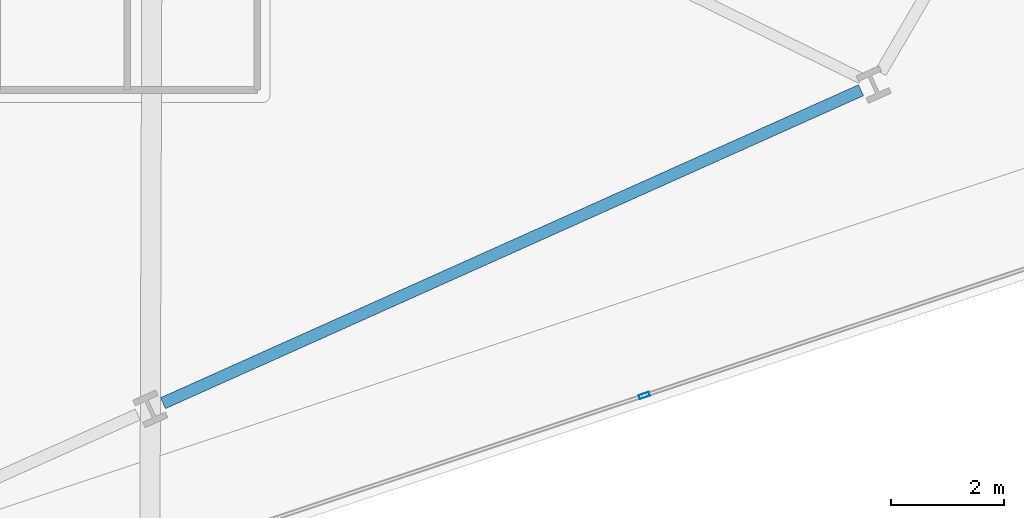
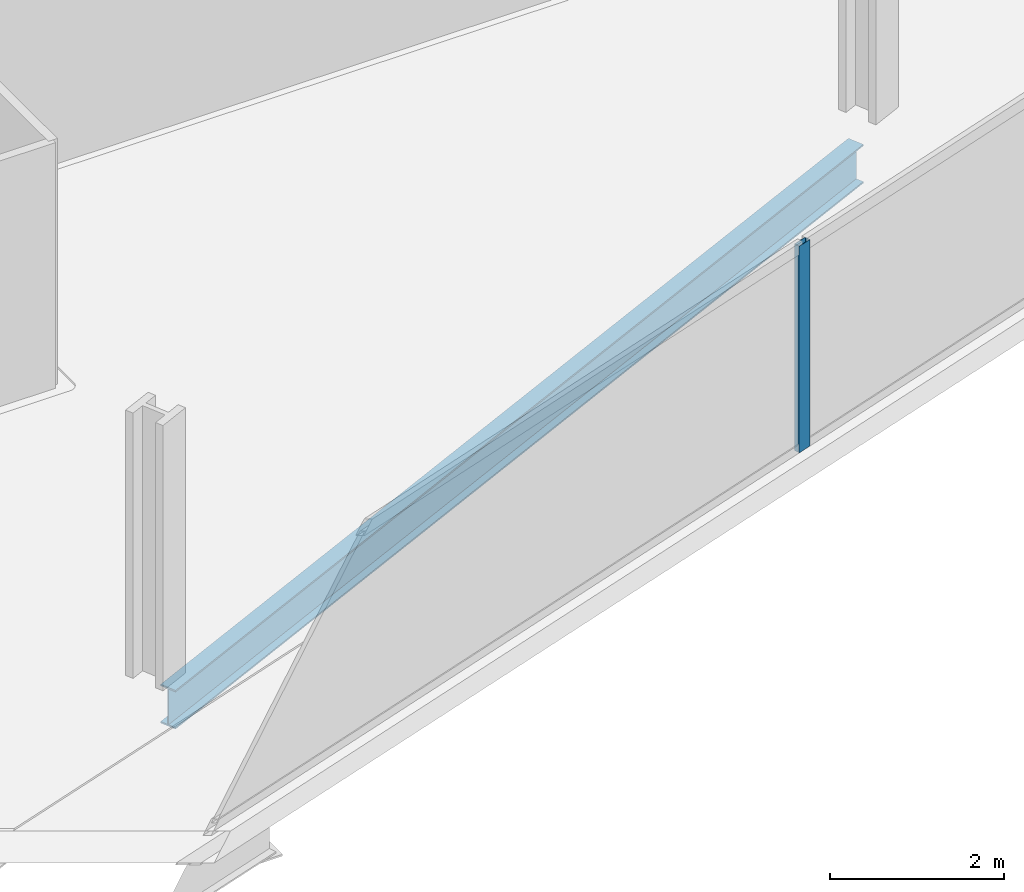
# One storey, part 9 of 34: 1 beam, 1 member, 1 element without a shape of its own.
"""IFC4 building model written with IfcOpenShell, lengths in metres."""

import ifcopenshell
import ifcopenshell.guid

model = None  # the IFC model being written
_history = None  # IfcOwnerHistory: only IFC2X3 demands one
_inside = {}  # id of a spatial element -> (the spatial element, [elements in it])
_under = {}  # id of a project, library or spatial element -> (it, [spatial elements below it])
_declared = {}  # id of a project -> (the project, [libraries it declares])
_typed = {}  # id of a type object -> (the type object, [elements of that type])
_made_of = {}  # id of a material, layer set ... -> (it, [elements and type objects made of it])


def new_model(schema):
    """Start an empty IFC model of exactly this schema.

    Asked for "IFC4X3", IfcOpenShell would pick the latest addendum, in which some entities
    have other attributes; the version numbers below select the first issue.
    IFC2X3 requires an IfcOwnerHistory on every rooted entity: one is made here for all.
    """
    global model, _history
    if schema == "IFC4X3":
        model = ifcopenshell.file(schema_version=(4, 3, 0, 0))
    else:
        model = ifcopenshell.file(schema=schema)
    _inside.clear()
    _under.clear()
    _declared.clear()
    _typed.clear()
    _made_of.clear()
    _history = None
    if model.schema == "IFC2X3":
        org = make("IfcOrganization", Name="unknown")
        user = make(
            "IfcPersonAndOrganization",
            ThePerson=make("IfcPerson", FamilyName="unknown"),
            TheOrganization=org,
        )
        app = make(
            "IfcApplication",
            ApplicationDeveloper=org,
            Version="unknown",
            ApplicationFullName="unknown",
            ApplicationIdentifier="unknown",
        )
        _history = make(
            "IfcOwnerHistory",
            OwningUser=user,
            OwningApplication=app,
            ChangeAction="ADDED",
            CreationDate=0,
        )
    return model


def make(cls, **values):
    """One entity of the class cls with the attributes given. An attribute that is None is left unset."""
    return model.create_entity(
        cls, **{name: value for name, value in values.items() if value is not None}
    )


def rooted(cls, **values):
    """An entity with a GlobalId (a new one), such as an element, a storey or a relation."""
    return make(cls, GlobalId=ifcopenshell.guid.new(), OwnerHistory=_history, **values)


def si_unit(unit_type, name, prefix=None):
    """IfcSIUnit, for example si_unit("LENGTHUNIT", "METRE", prefix="MILLI")."""
    return make("IfcSIUnit", UnitType=unit_type, Prefix=prefix, Name=name)


def assignment(units):
    """IfcUnitAssignment: the units of a project."""
    return None if units is None else make("IfcUnitAssignment", Units=units)


def point(xyz):
    """IfcCartesianPoint."""
    return None if xyz is None else make("IfcCartesianPoint", Coordinates=xyz)


def direction(xyz):
    """IfcDirection."""
    return None if xyz is None else make("IfcDirection", DirectionRatios=xyz)


def frame(location, z_axis=None, x_axis=None):
    """IfcAxis2Placement3D, a coordinate frame: its origin and axes. An axis left out is left unset."""
    return make(
        "IfcAxis2Placement3D",
        Location=point(location),
        Axis=direction(z_axis),
        RefDirection=direction(x_axis),
    )


def frame_2d(location, x_axis=None):
    """IfcAxis2Placement2D, a coordinate frame in the plane: its origin and x axis."""
    return make(
        "IfcAxis2Placement2D", Location=point(location), RefDirection=direction(x_axis)
    )


def origin():
    """The frame at (0, 0, 0) with its axes left unset."""
    return frame((0.0, 0.0, 0.0))


def origin_2d():
    """The frame at (0, 0) in the plane with its x axis left unset."""
    return frame_2d((0.0, 0.0))


def place(relative_to, where):
    """IfcLocalPlacement: puts the frame where relative to a parent placement (None: the world)."""
    return make(
        "IfcLocalPlacement", PlacementRelTo=relative_to, RelativePlacement=where
    )


def context(
    kind, dimensions, precision=None, world=None, true_north=None, identifier=None
):
    """IfcGeometricRepresentationContext, for example the 3D "Model" context."""
    return make(
        "IfcGeometricRepresentationContext",
        ContextIdentifier=identifier,
        ContextType=kind,
        CoordinateSpaceDimension=dimensions,
        Precision=precision,
        WorldCoordinateSystem=world,
        TrueNorth=true_north,
    )


def subcontext(parent, identifier, kind, view, scale=None):
    """IfcGeometricRepresentationSubContext, for example "Body" below "Model"."""
    return make(
        "IfcGeometricRepresentationSubContext",
        ContextIdentifier=identifier,
        ContextType=kind,
        ParentContext=parent,
        TargetScale=scale,
        TargetView=view,
    )


def project(units=None, contexts=None):
    """IfcProject with its units and contexts."""
    return rooted(
        "IfcProject",
        Name="project",
        RepresentationContexts=contexts,
        UnitsInContext=assignment(units),
    )


def spatial(cls, under=None, at=None, **own):
    """A site, building, storey or space (cls), placed at a placement, below another one or the project."""
    s = rooted(cls, ObjectPlacement=at, **own)
    if under is not None:
        _under.setdefault(under.id(), (under, []))[1].append(s)
    return s


def profile(cls, at=None, kind="AREA", **sizes):
    """A parametric profile (cls). Its sizes go by their IFC names, for example OverallWidth=200.0."""
    return make(cls, ProfileType=kind, Position=at, **sizes)


def hollow_rectangle(**sizes):
    """IfcRectangleHollowProfileDef."""
    return profile("IfcRectangleHollowProfileDef", **sizes)


def i_section(**sizes):
    """IfcIShapeProfileDef."""
    return profile("IfcIShapeProfileDef", **sizes)


def extrude(swept, where, along, depth):
    """IfcExtrudedAreaSolid: the profile swept, set in the frame where, extruded along a direction by depth."""
    return make(
        "IfcExtrudedAreaSolid",
        SweptArea=swept,
        Position=where,
        ExtrudedDirection=direction(along),
        Depth=depth,
    )


def shape(context_of_items, identifier, shape_type, items):
    """IfcShapeRepresentation: the items that make up one representation, for example the "Body"."""
    return make(
        "IfcShapeRepresentation",
        ContextOfItems=context_of_items,
        RepresentationIdentifier=identifier,
        RepresentationType=shape_type,
        Items=items,
    )


def material(Name=None, Category=None):
    """IfcMaterial."""
    return make("IfcMaterial", Name=Name, Category=Category)


def material_profile(
    of_material, cross_section, Name=None, Category=None, Priority=None
):
    """IfcMaterialProfile: a cross section and its material."""
    return make(
        "IfcMaterialProfile",
        Name=Name,
        Material=of_material,
        Profile=cross_section,
        Priority=Priority,
        Category=Category,
    )


def profile_set(profiles, Name=None, composite=None):
    """IfcMaterialProfileSet."""
    return make(
        "IfcMaterialProfileSet",
        Name=Name,
        MaterialProfiles=profiles,
        CompositeProfile=composite,
    )


def made_of(thing, what):
    """Note that an element or type object is made of a material, layer set ...; save() writes the relation."""
    if what is not None:
        _made_of.setdefault(what.id(), (what, []))[1].append(thing)
    return thing


def type_object(cls, material=None, **own):
    """A type object (cls), such as IfcWallType, which elements share."""
    return made_of(rooted(cls, **own), material)


def element(
    cls,
    number,
    at=None,
    inside=None,
    cuts=None,
    type_object=None,
    material=None,
    context=None,
    identifier="Body",
    shape_type=None,
    held_by="IfcProductDefinitionShape",
    body=None,
    shapes=None,
    **own,
):
    """One element of the class cls, such as IfcWall. Its Tag is "e" and its number.

    at: its placement. inside: the storey or other place that contains it. cuts: it is an
    opening in that element (IfcRelVoidsElement). A single representation is given by context,
    identifier, shape_type and body (its items); several are given by shapes. held_by: the class
    of the entity that holds the representations. save() writes the other relations.
    """
    e = rooted(cls, Tag="e%d" % number, ObjectPlacement=at, **own)
    if body is not None:
        shapes = [shape(context, identifier, shape_type, body)]
    if shapes is not None:
        e.Representation = make(held_by, Representations=shapes)
    if inside is not None:
        _inside.setdefault(inside.id(), (inside, []))[1].append(e)
    if cuts is not None:
        rooted(
            "IfcRelVoidsElement", RelatingBuildingElement=cuts, RelatedOpeningElement=e
        )
    if type_object is not None:
        _typed.setdefault(type_object.id(), (type_object, []))[1].append(e)
    return made_of(e, material)


def aggregate(whole, parts):
    """IfcRelAggregates: a whole, such as a stair, and the parts it consists of."""
    return rooted("IfcRelAggregates", RelatingObject=whole, RelatedObjects=parts)


def save(model, path):
    """Write the relations noted so far, then the file.

    IfcRelAggregates (storeys below a building ...), IfcRelContainedInSpatialStructure (elements
    in a storey), IfcRelDefinesByType, IfcRelAssociatesMaterial and IfcRelDeclares: one each for
    every whole, place, type object, material and project.
    """
    for whole, parts in _under.values():
        aggregate(whole, parts)
    for where, things in _inside.values():
        rooted(
            "IfcRelContainedInSpatialStructure",
            RelatedElements=things,
            RelatingStructure=where,
        )
    for kind, things in _typed.values():
        rooted("IfcRelDefinesByType", RelatedObjects=things, RelatingType=kind)
    for what, things in _made_of.values():
        rooted("IfcRelAssociatesMaterial", RelatedObjects=things, RelatingMaterial=what)
    for by, libraries in _declared.values():
        rooted("IfcRelDeclares", RelatingContext=by, RelatedDefinitions=libraries)
    model.write(path)


model = new_model("IFC4")

# Units and contexts
model_context = context("Model", 3, precision=1e-05, world=origin(), true_north=direction((0.0, 1.0)))
body_context = subcontext(model_context, "Body", "Model", "MODEL_VIEW")
ifc_project = project(units=[si_unit("LENGTHUNIT", "METRE"), si_unit("AREAUNIT", "SQUARE_METRE"), si_unit("VOLUMEUNIT", "CUBIC_METRE"), si_unit("PLANEANGLEUNIT", "RADIAN"), si_unit("MASSUNIT", "GRAM", prefix="KILO")], contexts=[model_context])

# Site, building, storey
site_placement = place(None, origin())
site = spatial("IfcSite", under=ifc_project, at=site_placement, CompositionType="ELEMENT")
building_placement = place(site_placement, origin())
building = spatial("IfcBuilding", under=site, at=building_placement, Name="Haldenkirk Collegiate Tower", CompositionType="ELEMENT")
storey_placement = place(building_placement, frame((0.0, 0.0, 90.449951171875)))
storey = spatial("IfcBuildingStorey", under=building, at=storey_placement, Name="L21", CompositionType="ELEMENT", Elevation=90.449951171875)

# Beam
ifc_material_1 = material(Name="Steel ASTM A992 Grade 50", Category="steel")
ifc_material_profile_1 = material_profile(ifc_material_1, i_section(OverallWidth=0.2119140625, OverallDepth=0.5439453125, WebThickness=0.01318359375, FlangeThickness=0.021240234375, at=origin_2d()), Name="W21X83")
ifc_profile_set_1 = profile_set([ifc_material_profile_1], Name="Steel ASTM A992 Grade 50")
beam_type = type_object("IfcBeamType", Name="BM-SPANDREL-W21X83", PredefinedType="SPANDREL", material=ifc_profile_set_1)
beam_placement = place(storey_placement, frame((45.183837890625, 6.1171875, -0.572021484375), z_axis=(0.912476765144, 0.409128528793, 0.0), x_axis=(-0.409128528793, 0.912476765144, 0.0)))
element("IfcBeam", 1, at=beam_placement, inside=storey, type_object=beam_type, Name="L21 perimeter spandrel beam 03", PredefinedType="SPANDREL", context=body_context, shape_type="SweptSolid", body=[
    extrude(i_section(OverallWidth=0.2119140625, OverallDepth=0.5439453125, WebThickness=0.01318359375, FlangeThickness=0.021240234375, at=origin_2d()), origin(), (0.0, 0.0, 1.0), 13.512939453125),
])

# Curtain wall, member
ifc_material_2 = material(Name="Anodised architectural bronze aluminium", Category="aluminium")
curtain_wall_type = type_object("IfcCurtainWallType", Name="CW-SYS2-CONCAVE", PredefinedType="USERDEFINED", material=ifc_material_2)
curtain_wall_placement = place(storey_placement, origin())
curtain_wall = element("IfcCurtainWall", 2, at=curtain_wall_placement, inside=storey, type_object=curtain_wall_type, Name="L21 South concave recessed bronze-anodised curtain wall", ObjectType="UNITISED CURTAIN WALL", PredefinedType="USERDEFINED")
ifc_material_profile_2 = material_profile(ifc_material_2, hollow_rectangle(XDim=0.074951171875, YDim=0.18994140625, WallThickness=0.0048828125, at=origin_2d()), Name="CW-MUL-02")
ifc_profile_set_2 = profile_set([ifc_material_profile_2], Name="Anodised architectural bronze aluminium")
member_type = type_object("IfcMemberType", Name="CW-MUL-02", PredefinedType="MULLION", material=ifc_profile_set_2)
member_placement = place(storey_placement, frame((53.687255859375, 6.25341796875, 0.0), z_axis=(0.0, 0.0, 1.0), x_axis=(0.315646901106, -0.948876722142, 0.0)))
member = element("IfcMember", 3, at=member_placement, type_object=member_type, Name="CW-02 mullion 2", PredefinedType="MULLION", context=body_context, shape_type="SweptSolid", body=[
    extrude(hollow_rectangle(XDim=0.074951171875, YDim=0.18994140625, WallThickness=0.0048828125, at=origin_2d()), origin(), (0.0, 0.0, 1.0), 2.901123046875),
])
aggregate(curtain_wall, [member])

save(model, "model.ifc")
